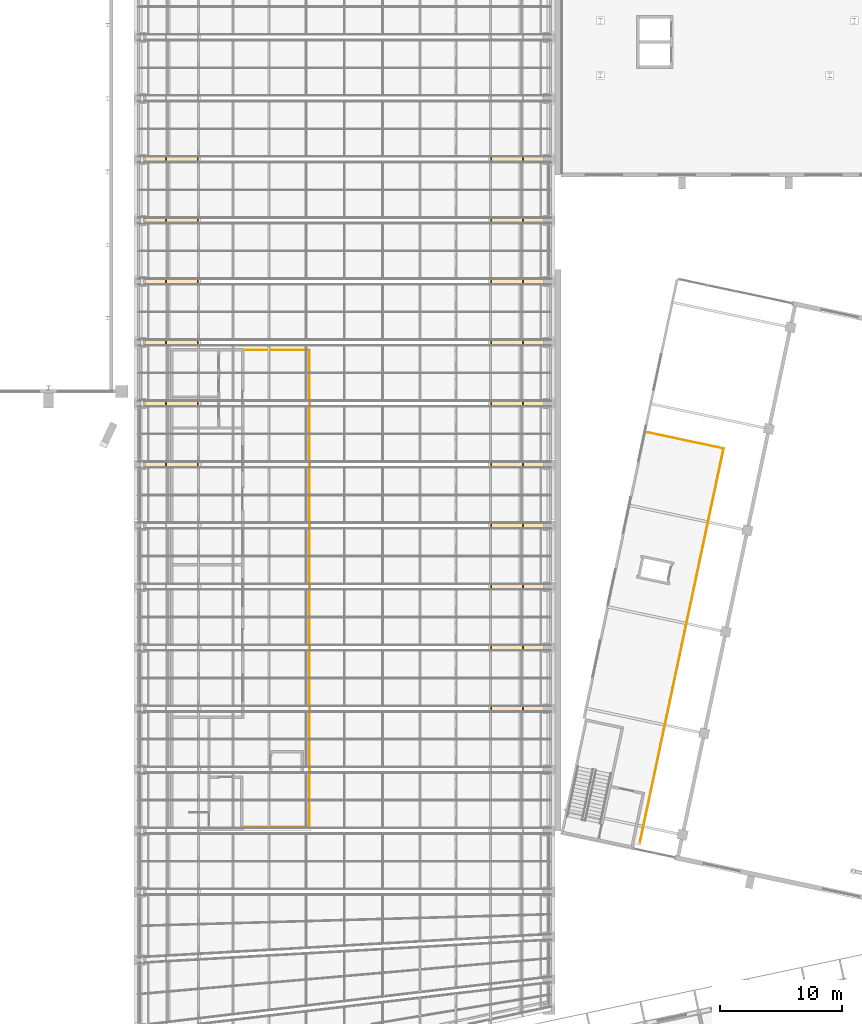
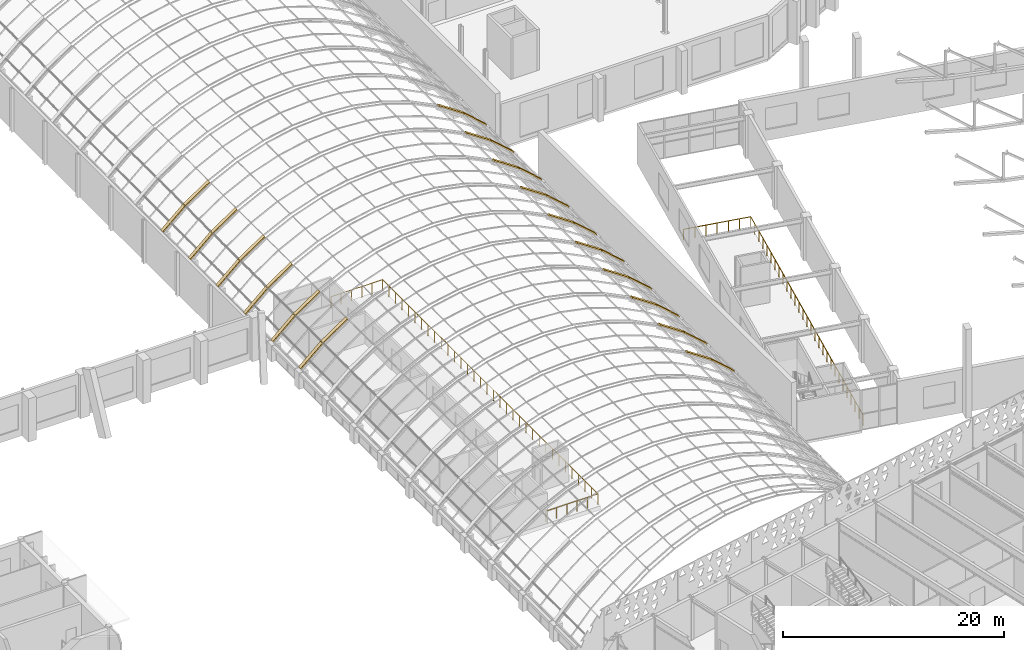
# One storey, part 180 of 182: 32 coverings, 2 railings.
"""IFC4 building model written with IfcOpenShell, lengths in metres."""

from ifc_helpers import new_model, si_unit, direction, frame, origin, origin_2d, place, context, subcontext, project, spatial, polyline, circle, outline, extrude, material, layer, layer_set, type_object, element, save


model = new_model("IFC4")

# Units and contexts
model_context = context("Model", 3, precision=1e-05, world=origin(), true_north=direction((0.0, 1.0)))
body_context = subcontext(model_context, "Body", "Model", "MODEL_VIEW")
ifc_project = project(units=[si_unit("LENGTHUNIT", "METRE"), si_unit("AREAUNIT", "SQUARE_METRE"), si_unit("VOLUMEUNIT", "CUBIC_METRE"), si_unit("PLANEANGLEUNIT", "RADIAN"), si_unit("MASSUNIT", "GRAM", prefix="KILO")], contexts=[model_context])

# Site, building, storey
site_placement = place(None, origin())
site = spatial("IfcSite", under=ifc_project, at=site_placement, CompositionType="ELEMENT")
building_placement = place(site_placement, origin())
building = spatial("IfcBuilding", under=site, at=building_placement, Name="Okhra Congress Centre", CompositionType="ELEMENT")
storey_placement = place(building_placement, frame((0.0, 0.0, 7.199951171875)))
storey = spatial("IfcBuildingStorey", under=building, at=storey_placement, Name="L01", CompositionType="ELEMENT", Elevation=7.199951171875)

# Coverings
ifc_material_1 = material(Name="Extruded aluminium capping, thermally broken", Category="aluminium")
ifc_layer = layer(ifc_material_1, 0.139892578125)
ifc_layer_set = layer_set([ifc_layer], Name="Aluminium rib capping 380")
covering_type = type_object("IfcCoveringType", Name="Aluminium rib capping 380", PredefinedType="CLADDING", material=ifc_layer_set)
covering_1_placement = place(storey_placement, frame((184.303466796875, 105.81005859375, 5.876220703125), z_axis=(0.559487786357, 0.0, 0.828838595215), x_axis=(0.828838595215, 0.0, -0.559487786357)))
element("IfcCovering", 1, at=covering_1_placement, inside=storey, type_object=covering_type, Name="Rib capping 7.11", PredefinedType="CLADDING", context=body_context, shape_type="SweptSolid", body=[
    extrude(outline(polyline([(0.0, 0.0), (3.08902450870042, 0.0), (3.08902450870042, 0.3798828125), (0.0, 0.3798828125), (0.0, 0.0)])), origin(), (0.0, 0.0, -1.0), 0.139892578125),
])
covering_2_placement = place(storey_placement, frame((186.9111328125, 105.81005859375, 4.111328125), z_axis=(0.663725875965, 0.0, 0.747975909756), x_axis=(0.747975909756, 0.0, -0.663725875965)))
element("IfcCovering", 2, at=covering_2_placement, inside=storey, type_object=covering_type, Name="Rib capping 7.12", PredefinedType="CLADDING", context=body_context, shape_type="SweptSolid", body=[
    extrude(outline(polyline([(0.0, 0.0), (3.0890658975292116, 0.0), (3.0890658975292116, 0.3798828125), (0.0, 0.3798828125), (0.0, 0.0)])), origin(), (0.0, 0.0, -1.0), 0.139892578125),
])
covering_3_placement = place(storey_placement, frame((184.303466796875, 110.81005859375, 5.876220703125), z_axis=(0.559487786357, 0.0, 0.828838595215), x_axis=(0.828838595215, 0.0, -0.559487786357)))
element("IfcCovering", 3, at=covering_3_placement, inside=storey, type_object=covering_type, Name="Rib capping 8.11", PredefinedType="CLADDING", context=body_context, shape_type="SweptSolid", body=[
    extrude(outline(polyline([(0.0, 0.0), (3.08902450870042, 0.0), (3.08902450870042, 0.3798828125), (0.0, 0.3798828125), (0.0, 0.0)])), origin(), (0.0, 0.0, -1.0), 0.139892578125),
])
covering_4_placement = place(storey_placement, frame((186.9111328125, 110.81005859375, 4.111328125), z_axis=(0.663725875965, 0.0, 0.747975909756), x_axis=(0.747975909756, 0.0, -0.663725875965)))
element("IfcCovering", 4, at=covering_4_placement, inside=storey, type_object=covering_type, Name="Rib capping 8.12", PredefinedType="CLADDING", context=body_context, shape_type="SweptSolid", body=[
    extrude(outline(polyline([(0.0, 0.0), (3.0890658975292116, 0.0), (3.0890658975292116, 0.3798828125), (0.0, 0.3798828125), (0.0, 0.0)])), origin(), (0.0, 0.0, -1.0), 0.139892578125),
])
covering_5_placement = place(storey_placement, frame((184.303466796875, 115.81005859375, 5.876220703125), z_axis=(0.559487786357, 0.0, 0.828838595215), x_axis=(0.828838595215, 0.0, -0.559487786357)))
element("IfcCovering", 5, at=covering_5_placement, inside=storey, type_object=covering_type, Name="Rib capping 9.11", PredefinedType="CLADDING", context=body_context, shape_type="SweptSolid", body=[
    extrude(outline(polyline([(0.0, 0.0), (3.08902450870042, 0.0), (3.08902450870042, 0.3798828125), (0.0, 0.3798828125), (0.0, 0.0)])), origin(), (0.0, 0.0, -1.0), 0.139892578125),
])
covering_6_placement = place(storey_placement, frame((186.9111328125, 115.81005859375, 4.111328125), z_axis=(0.663725875965, 0.0, 0.747975909756), x_axis=(0.747975909756, 0.0, -0.663725875965)))
element("IfcCovering", 6, at=covering_6_placement, inside=storey, type_object=covering_type, Name="Rib capping 9.12", PredefinedType="CLADDING", context=body_context, shape_type="SweptSolid", body=[
    extrude(outline(polyline([(0.0, 0.0), (3.0890658975292116, 0.0), (3.0890658975292116, 0.3798828125), (0.0, 0.3798828125), (0.0, 0.0)])), origin(), (0.0, 0.0, -1.0), 0.139892578125),
])
covering_7_placement = place(storey_placement, frame((184.303466796875, 120.81005859375, 5.876220703125), z_axis=(0.559487786357, 0.0, 0.828838595215), x_axis=(0.828838595215, 0.0, -0.559487786357)))
element("IfcCovering", 7, at=covering_7_placement, inside=storey, type_object=covering_type, Name="Rib capping 10.11", PredefinedType="CLADDING", context=body_context, shape_type="SweptSolid", body=[
    extrude(outline(polyline([(0.0, 0.0), (3.08902450870042, 0.0), (3.08902450870042, 0.3798828125), (0.0, 0.3798828125), (0.0, 0.0)])), origin(), (0.0, 0.0, -1.0), 0.139892578125),
])
for number, where, z_axis, x_axis, name in (
    (8, (186.9111328125, 120.81005859375, 4.111328125), (0.663725875965, 0.0, 0.747975909756), (0.747975909756, 0.0, -0.663725875965), "Rib capping 10.12"),
    (9, (155.2783203125, 125.81005859375, 2.06103515625), (-0.663725875965, 0.0, 0.747975909756), (0.747975909756, 0.0, 0.663725875965), "Rib capping 11.1"),
):
    element("IfcCovering", number, at=place(storey_placement, frame(where, z_axis=z_axis, x_axis=x_axis)), inside=storey, type_object=covering_type, Name=name, PredefinedType="CLADDING", context=body_context, shape_type="SweptSolid", body=[
        extrude(outline(polyline([(0.0, 0.0), (3.0890658975292116, 0.0), (3.0890658975292116, 0.3798828125), (0.0, 0.3798828125), (0.0, 0.0)])), origin(), (0.0, 0.0, -1.0), 0.139892578125),
    ])
for number, where, z_axis, x_axis, name in (
    (10, (157.63623046875, 125.81005859375, 4.14794921875), (-0.559487786357, 0.0, 0.828838595215), (0.828838595215, 0.0, 0.559487786357), "Rib capping 11.2"),
    (11, (184.303466796875, 125.81005859375, 5.876220703125), (0.559487786357, 0.0, 0.828838595215), (0.828838595215, 0.0, -0.559487786357), "Rib capping 11.11"),
):
    element("IfcCovering", number, at=place(storey_placement, frame(where, z_axis=z_axis, x_axis=x_axis)), inside=storey, type_object=covering_type, Name=name, PredefinedType="CLADDING", context=body_context, shape_type="SweptSolid", body=[
        extrude(outline(polyline([(0.0, 0.0), (3.08902450870042, 0.0), (3.08902450870042, 0.3798828125), (0.0, 0.3798828125), (0.0, 0.0)])), origin(), (0.0, 0.0, -1.0), 0.139892578125),
    ])
for number, where, z_axis, x_axis, name in (
    (12, (186.9111328125, 125.81005859375, 4.111328125), (0.663725875965, 0.0, 0.747975909756), (0.747975909756, 0.0, -0.663725875965), "Rib capping 11.12"),
    (13, (155.2783203125, 130.81005859375, 2.06103515625), (-0.663725875965, 0.0, 0.747975909756), (0.747975909756, 0.0, 0.663725875965), "Rib capping 12.1"),
):
    element("IfcCovering", number, at=place(storey_placement, frame(where, z_axis=z_axis, x_axis=x_axis)), inside=storey, type_object=covering_type, Name=name, PredefinedType="CLADDING", context=body_context, shape_type="SweptSolid", body=[
        extrude(outline(polyline([(0.0, 0.0), (3.0890658975292116, 0.0), (3.0890658975292116, 0.3798828125), (0.0, 0.3798828125), (0.0, 0.0)])), origin(), (0.0, 0.0, -1.0), 0.139892578125),
    ])
for number, where, z_axis, x_axis, name in (
    (14, (157.63623046875, 130.81005859375, 4.14794921875), (-0.559487786357, 0.0, 0.828838595215), (0.828838595215, 0.0, 0.559487786357), "Rib capping 12.2"),
    (15, (184.303466796875, 130.81005859375, 5.876220703125), (0.559487786357, 0.0, 0.828838595215), (0.828838595215, 0.0, -0.559487786357), "Rib capping 12.11"),
):
    element("IfcCovering", number, at=place(storey_placement, frame(where, z_axis=z_axis, x_axis=x_axis)), inside=storey, type_object=covering_type, Name=name, PredefinedType="CLADDING", context=body_context, shape_type="SweptSolid", body=[
        extrude(outline(polyline([(0.0, 0.0), (3.08902450870042, 0.0), (3.08902450870042, 0.3798828125), (0.0, 0.3798828125), (0.0, 0.0)])), origin(), (0.0, 0.0, -1.0), 0.139892578125),
    ])
for number, where, z_axis, x_axis, name in (
    (16, (186.9111328125, 130.81005859375, 4.111328125), (0.663725875965, 0.0, 0.747975909756), (0.747975909756, 0.0, -0.663725875965), "Rib capping 12.12"),
    (17, (155.2783203125, 135.81005859375, 2.06103515625), (-0.663725875965, 0.0, 0.747975909756), (0.747975909756, 0.0, 0.663725875965), "Rib capping 13.1"),
):
    element("IfcCovering", number, at=place(storey_placement, frame(where, z_axis=z_axis, x_axis=x_axis)), inside=storey, type_object=covering_type, Name=name, PredefinedType="CLADDING", context=body_context, shape_type="SweptSolid", body=[
        extrude(outline(polyline([(0.0, 0.0), (3.0890658975292116, 0.0), (3.0890658975292116, 0.3798828125), (0.0, 0.3798828125), (0.0, 0.0)])), origin(), (0.0, 0.0, -1.0), 0.139892578125),
    ])
for number, where, z_axis, x_axis, name in (
    (18, (157.63623046875, 135.81005859375, 4.14794921875), (-0.559487786357, 0.0, 0.828838595215), (0.828838595215, 0.0, 0.559487786357), "Rib capping 13.2"),
    (19, (184.303466796875, 135.81005859375, 5.876220703125), (0.559487786357, 0.0, 0.828838595215), (0.828838595215, 0.0, -0.559487786357), "Rib capping 13.11"),
):
    element("IfcCovering", number, at=place(storey_placement, frame(where, z_axis=z_axis, x_axis=x_axis)), inside=storey, type_object=covering_type, Name=name, PredefinedType="CLADDING", context=body_context, shape_type="SweptSolid", body=[
        extrude(outline(polyline([(0.0, 0.0), (3.08902450870042, 0.0), (3.08902450870042, 0.3798828125), (0.0, 0.3798828125), (0.0, 0.0)])), origin(), (0.0, 0.0, -1.0), 0.139892578125),
    ])
for number, where, z_axis, x_axis, name in (
    (20, (186.9111328125, 135.81005859375, 4.111328125), (0.663725875965, 0.0, 0.747975909756), (0.747975909756, 0.0, -0.663725875965), "Rib capping 13.12"),
    (21, (155.2783203125, 140.81005859375, 2.06103515625), (-0.663725875965, 0.0, 0.747975909756), (0.747975909756, 0.0, 0.663725875965), "Rib capping 14.1"),
):
    element("IfcCovering", number, at=place(storey_placement, frame(where, z_axis=z_axis, x_axis=x_axis)), inside=storey, type_object=covering_type, Name=name, PredefinedType="CLADDING", context=body_context, shape_type="SweptSolid", body=[
        extrude(outline(polyline([(0.0, 0.0), (3.0890658975292116, 0.0), (3.0890658975292116, 0.3798828125), (0.0, 0.3798828125), (0.0, 0.0)])), origin(), (0.0, 0.0, -1.0), 0.139892578125),
    ])
for number, where, z_axis, x_axis, name in (
    (22, (157.63623046875, 140.81005859375, 4.14794921875), (-0.559487786357, 0.0, 0.828838595215), (0.828838595215, 0.0, 0.559487786357), "Rib capping 14.2"),
    (23, (184.303466796875, 140.81005859375, 5.876220703125), (0.559487786357, 0.0, 0.828838595215), (0.828838595215, 0.0, -0.559487786357), "Rib capping 14.11"),
):
    element("IfcCovering", number, at=place(storey_placement, frame(where, z_axis=z_axis, x_axis=x_axis)), inside=storey, type_object=covering_type, Name=name, PredefinedType="CLADDING", context=body_context, shape_type="SweptSolid", body=[
        extrude(outline(polyline([(0.0, 0.0), (3.08902450870042, 0.0), (3.08902450870042, 0.3798828125), (0.0, 0.3798828125), (0.0, 0.0)])), origin(), (0.0, 0.0, -1.0), 0.139892578125),
    ])
for number, where, z_axis, x_axis, name in (
    (24, (186.9111328125, 140.81005859375, 4.111328125), (0.663725875965, 0.0, 0.747975909756), (0.747975909756, 0.0, -0.663725875965), "Rib capping 14.12"),
    (25, (155.2783203125, 145.81005859375, 2.06103515625), (-0.663725875965, 0.0, 0.747975909756), (0.747975909756, 0.0, 0.663725875965), "Rib capping 15.1"),
):
    element("IfcCovering", number, at=place(storey_placement, frame(where, z_axis=z_axis, x_axis=x_axis)), inside=storey, type_object=covering_type, Name=name, PredefinedType="CLADDING", context=body_context, shape_type="SweptSolid", body=[
        extrude(outline(polyline([(0.0, 0.0), (3.0890658975292116, 0.0), (3.0890658975292116, 0.3798828125), (0.0, 0.3798828125), (0.0, 0.0)])), origin(), (0.0, 0.0, -1.0), 0.139892578125),
    ])
for number, where, z_axis, x_axis, name in (
    (26, (157.63623046875, 145.81005859375, 4.14794921875), (-0.559487786357, 0.0, 0.828838595215), (0.828838595215, 0.0, 0.559487786357), "Rib capping 15.2"),
    (27, (184.303466796875, 145.81005859375, 5.876220703125), (0.559487786357, 0.0, 0.828838595215), (0.828838595215, 0.0, -0.559487786357), "Rib capping 15.11"),
):
    element("IfcCovering", number, at=place(storey_placement, frame(where, z_axis=z_axis, x_axis=x_axis)), inside=storey, type_object=covering_type, Name=name, PredefinedType="CLADDING", context=body_context, shape_type="SweptSolid", body=[
        extrude(outline(polyline([(0.0, 0.0), (3.08902450870042, 0.0), (3.08902450870042, 0.3798828125), (0.0, 0.3798828125), (0.0, 0.0)])), origin(), (0.0, 0.0, -1.0), 0.139892578125),
    ])
for number, where, z_axis, x_axis, name in (
    (28, (186.9111328125, 145.81005859375, 4.111328125), (0.663725875965, 0.0, 0.747975909756), (0.747975909756, 0.0, -0.663725875965), "Rib capping 15.12"),
    (29, (155.2783203125, 150.81005859375, 2.06103515625), (-0.663725875965, 0.0, 0.747975909756), (0.747975909756, 0.0, 0.663725875965), "Rib capping 16.1"),
):
    element("IfcCovering", number, at=place(storey_placement, frame(where, z_axis=z_axis, x_axis=x_axis)), inside=storey, type_object=covering_type, Name=name, PredefinedType="CLADDING", context=body_context, shape_type="SweptSolid", body=[
        extrude(outline(polyline([(0.0, 0.0), (3.0890658975292116, 0.0), (3.0890658975292116, 0.3798828125), (0.0, 0.3798828125), (0.0, 0.0)])), origin(), (0.0, 0.0, -1.0), 0.139892578125),
    ])
for number, where, z_axis, x_axis, name in (
    (30, (157.63623046875, 150.81005859375, 4.14794921875), (-0.559487786357, 0.0, 0.828838595215), (0.828838595215, 0.0, 0.559487786357), "Rib capping 16.2"),
    (31, (184.303466796875, 150.81005859375, 5.876220703125), (0.559487786357, 0.0, 0.828838595215), (0.828838595215, 0.0, -0.559487786357), "Rib capping 16.11"),
):
    element("IfcCovering", number, at=place(storey_placement, frame(where, z_axis=z_axis, x_axis=x_axis)), inside=storey, type_object=covering_type, Name=name, PredefinedType="CLADDING", context=body_context, shape_type="SweptSolid", body=[
        extrude(outline(polyline([(0.0, 0.0), (3.08902450870042, 0.0), (3.08902450870042, 0.3798828125), (0.0, 0.3798828125), (0.0, 0.0)])), origin(), (0.0, 0.0, -1.0), 0.139892578125),
    ])
covering_8_placement = place(storey_placement, frame((186.9111328125, 150.81005859375, 4.111328125), z_axis=(0.663725875965, 0.0, 0.747975909756), x_axis=(0.747975909756, 0.0, -0.663725875965)))
element("IfcCovering", 32, at=covering_8_placement, inside=storey, type_object=covering_type, Name="Rib capping 16.12", PredefinedType="CLADDING", context=body_context, shape_type="SweptSolid", body=[
    extrude(outline(polyline([(0.0, 0.0), (3.0890658975292116, 0.0), (3.0890658975292116, 0.3798828125), (0.0, 0.3798828125), (0.0, 0.0)])), origin(), (0.0, 0.0, -1.0), 0.139892578125),
])

# Railings
ifc_material_2 = material(Name="Laminated toughened glass balustrade with a stainless handrail, fixed in a base channel", Category="glass")
railing_type = type_object("IfcRailingType", Name="Glass balustrade guard 1200", PredefinedType="GUARDRAIL", material=ifc_material_2)
railing_1_placement = place(storey_placement, frame((163.949951171875, 96.300048828125, 0.0)))
element("IfcRailing", 33, at=railing_1_placement, inside=storey, type_object=railing_type, Name="West gallery guard", PredefinedType="GUARDRAIL", context=body_context, shape_type="SweptSolid", body=[
    extrude(circle(Radius=0.02392578125, at=origin_2d()), frame((0.0, 0.0, 1.17578125), z_axis=(1.0, 0.0, 0.0), x_axis=(0.0, 1.0, 0.0)), (0.0, 0.0, 1.0), 5.449951171875),
    extrude(circle(Radius=0.02392578125, at=origin_2d()), frame((5.449951171875, 0.0, 1.17578125), z_axis=(0.0, 1.0, 0.0), x_axis=(-1.0, 0.0, 0.0)), (0.0, 0.0, 1.0), 39.099853515625),
    extrude(circle(Radius=0.02392578125, at=origin_2d()), frame((5.449951171875, 39.099853515625, 1.17578125), z_axis=(-1.0, 0.0, 0.0), x_axis=(0.0, -1.0, 0.0)), (0.0, 0.0, 1.0), 5.39990234375),
    extrude(circle(Radius=0.02099609375, at=origin_2d()), origin(), (0.0, 0.0, 1.0), 1.15185546875),
    extrude(circle(Radius=0.02099609375, at=origin_2d()), frame((1.090087890625, 0.0, 0.0)), (0.0, 0.0, 1.0), 1.15185546875),
    extrude(circle(Radius=0.02099609375, at=origin_2d()), frame((2.179931640625, 0.0, 0.0)), (0.0, 0.0, 1.0), 1.15185546875),
    extrude(circle(Radius=0.02099609375, at=origin_2d()), frame((3.27001953125, 0.0, 0.0)), (0.0, 0.0, 1.0), 1.15185546875),
    extrude(circle(Radius=0.02099609375, at=origin_2d()), frame((4.35986328125, 0.0, 0.0)), (0.0, 0.0, 1.0), 1.15185546875),
    extrude(circle(Radius=0.02099609375, at=origin_2d()), frame((5.449951171875, 0.0, 0.0)), (0.0, 0.0, 1.0), 1.15185546875),
    extrude(circle(Radius=0.02099609375, at=origin_2d()), frame((5.449951171875, 1.184814453125, 0.0)), (0.0, 0.0, 1.0), 1.15185546875),
    extrude(circle(Radius=0.02099609375, at=origin_2d()), frame((5.449951171875, 2.36962890625, 0.0)), (0.0, 0.0, 1.0), 1.15185546875),
    extrude(circle(Radius=0.02099609375, at=origin_2d()), frame((5.449951171875, 3.554443359375, 0.0)), (0.0, 0.0, 1.0), 1.15185546875),
    extrude(circle(Radius=0.02099609375, at=origin_2d()), frame((5.449951171875, 4.7392578125, 0.0)), (0.0, 0.0, 1.0), 1.15185546875),
    extrude(circle(Radius=0.02099609375, at=origin_2d()), frame((5.449951171875, 5.92431640625, 0.0)), (0.0, 0.0, 1.0), 1.15185546875),
    extrude(circle(Radius=0.02099609375, at=origin_2d()), frame((5.449951171875, 7.109130859375, 0.0)), (0.0, 0.0, 1.0), 1.15185546875),
    extrude(circle(Radius=0.02099609375, at=origin_2d()), frame((5.449951171875, 8.2939453125, 0.0)), (0.0, 0.0, 1.0), 1.15185546875),
    extrude(circle(Radius=0.02099609375, at=origin_2d()), frame((5.449951171875, 9.478759765625, 0.0)), (0.0, 0.0, 1.0), 1.15185546875),
    extrude(circle(Radius=0.02099609375, at=origin_2d()), frame((5.449951171875, 10.66357421875, 0.0)), (0.0, 0.0, 1.0), 1.15185546875),
    extrude(circle(Radius=0.02099609375, at=origin_2d()), frame((5.449951171875, 11.848388671875, 0.0)), (0.0, 0.0, 1.0), 1.15185546875),
    extrude(circle(Radius=0.02099609375, at=origin_2d()), frame((5.449951171875, 13.033203125, 0.0)), (0.0, 0.0, 1.0), 1.15185546875),
    extrude(circle(Radius=0.02099609375, at=origin_2d()), frame((5.449951171875, 14.218017578125, 0.0)), (0.0, 0.0, 1.0), 1.15185546875),
    extrude(circle(Radius=0.02099609375, at=origin_2d()), frame((5.449951171875, 15.403076171875, 0.0)), (0.0, 0.0, 1.0), 1.15185546875),
    extrude(circle(Radius=0.02099609375, at=origin_2d()), frame((5.449951171875, 16.587890625, 0.0)), (0.0, 0.0, 1.0), 1.15185546875),
    extrude(circle(Radius=0.02099609375, at=origin_2d()), frame((5.449951171875, 17.772705078125, 0.0)), (0.0, 0.0, 1.0), 1.15185546875),
    extrude(circle(Radius=0.02099609375, at=origin_2d()), frame((5.449951171875, 18.95751953125, 0.0)), (0.0, 0.0, 1.0), 1.15185546875),
    extrude(circle(Radius=0.02099609375, at=origin_2d()), frame((5.449951171875, 20.142333984375, 0.0)), (0.0, 0.0, 1.0), 1.15185546875),
    extrude(circle(Radius=0.02099609375, at=origin_2d()), frame((5.449951171875, 21.3271484375, 0.0)), (0.0, 0.0, 1.0), 1.15185546875),
    extrude(circle(Radius=0.02099609375, at=origin_2d()), frame((5.449951171875, 22.511962890625, 0.0)), (0.0, 0.0, 1.0), 1.15185546875),
    extrude(circle(Radius=0.02099609375, at=origin_2d()), frame((5.449951171875, 23.69677734375, 0.0)), (0.0, 0.0, 1.0), 1.15185546875),
    extrude(circle(Radius=0.02099609375, at=origin_2d()), frame((5.449951171875, 24.8818359375, 0.0)), (0.0, 0.0, 1.0), 1.15185546875),
    extrude(circle(Radius=0.02099609375, at=origin_2d()), frame((5.449951171875, 26.066650390625, 0.0)), (0.0, 0.0, 1.0), 1.15185546875),
    extrude(circle(Radius=0.02099609375, at=origin_2d()), frame((5.449951171875, 27.25146484375, 0.0)), (0.0, 0.0, 1.0), 1.15185546875),
    extrude(circle(Radius=0.02099609375, at=origin_2d()), frame((5.449951171875, 28.436279296875, 0.0)), (0.0, 0.0, 1.0), 1.15185546875),
    extrude(circle(Radius=0.02099609375, at=origin_2d()), frame((5.449951171875, 29.62109375, 0.0)), (0.0, 0.0, 1.0), 1.15185546875),
    extrude(circle(Radius=0.02099609375, at=origin_2d()), frame((5.449951171875, 30.805908203125, 0.0)), (0.0, 0.0, 1.0), 1.15185546875),
    extrude(circle(Radius=0.02099609375, at=origin_2d()), frame((5.449951171875, 31.99072265625, 0.0)), (0.0, 0.0, 1.0), 1.15185546875),
    extrude(circle(Radius=0.02099609375, at=origin_2d()), frame((5.449951171875, 33.175537109375, 0.0)), (0.0, 0.0, 1.0), 1.15185546875),
    extrude(circle(Radius=0.02099609375, at=origin_2d()), frame((5.449951171875, 34.360595703125, 0.0)), (0.0, 0.0, 1.0), 1.15185546875),
    extrude(circle(Radius=0.02099609375, at=origin_2d()), frame((5.449951171875, 35.54541015625, 0.0)), (0.0, 0.0, 1.0), 1.15185546875),
    extrude(circle(Radius=0.02099609375, at=origin_2d()), frame((5.449951171875, 36.730224609375, 0.0)), (0.0, 0.0, 1.0), 1.15185546875),
    extrude(circle(Radius=0.02099609375, at=origin_2d()), frame((5.449951171875, 37.9150390625, 0.0)), (0.0, 0.0, 1.0), 1.15185546875),
    extrude(circle(Radius=0.02099609375, at=origin_2d()), frame((5.449951171875, 39.099853515625, 0.0)), (0.0, 0.0, 1.0), 1.15185546875),
    extrude(circle(Radius=0.02099609375, at=origin_2d()), frame((4.369873046875, 39.099853515625, 0.0)), (0.0, 0.0, 1.0), 1.15185546875),
    extrude(circle(Radius=0.02099609375, at=origin_2d()), frame((3.2900390625, 39.099853515625, 0.0)), (0.0, 0.0, 1.0), 1.15185546875),
    extrude(circle(Radius=0.02099609375, at=origin_2d()), frame((2.2099609375, 39.099853515625, 0.0)), (0.0, 0.0, 1.0), 1.15185546875),
    extrude(circle(Radius=0.02099609375, at=origin_2d()), frame((1.130126953125, 39.099853515625, 0.0)), (0.0, 0.0, 1.0), 1.15185546875),
    extrude(circle(Radius=0.02099609375, at=origin_2d()), frame((0.050048828125, 39.099853515625, 0.0)), (0.0, 0.0, 1.0), 1.15185546875),
])
railing_2_placement = place(storey_placement, frame((196.441162109375, 95.039794921875, 0.0)))
element("IfcRailing", 34, at=railing_2_placement, inside=storey, type_object=railing_type, Name="Gallery guard", PredefinedType="GUARDRAIL", context=body_context, shape_type="SweptSolid", body=[
    extrude(circle(Radius=0.02392578125, at=origin_2d()), frame((0.0, 0.0, 1.17578125), z_axis=(0.207912021771, 0.978147530387, 0.0), x_axis=(-0.978147530387, 0.207912021771, 0.0)), (0.0, 0.0, 1.0), 33.0),
    extrude(circle(Radius=0.02392578125, at=origin_2d()), frame((6.861083984375, 32.27880859375, 1.17578125), z_axis=(-0.978142754647, 0.207934488557, 0.0), x_axis=(-0.207934488557, -0.978142754647, 0.0)), (0.0, 0.0, 1.0), 6.400146484375),
    extrude(circle(Radius=0.02099609375, at=origin_2d()), origin(), (0.0, 0.0, 1.0), 1.15185546875),
    extrude(circle(Radius=0.02099609375, at=origin_2d()), frame((0.2451171875, 1.15283203125, 0.0)), (0.0, 0.0, 1.0), 1.15185546875),
    extrude(circle(Radius=0.02099609375, at=origin_2d()), frame((0.489990234375, 2.3056640625, 0.0)), (0.0, 0.0, 1.0), 1.15185546875),
    extrude(circle(Radius=0.02099609375, at=origin_2d()), frame((0.735107421875, 3.45849609375, 0.0)), (0.0, 0.0, 1.0), 1.15185546875),
    extrude(circle(Radius=0.02099609375, at=origin_2d()), frame((0.980224609375, 4.611328125, 0.0)), (0.0, 0.0, 1.0), 1.15185546875),
    extrude(circle(Radius=0.02099609375, at=origin_2d()), frame((1.22509765625, 5.76416015625, 0.0)), (0.0, 0.0, 1.0), 1.15185546875),
    extrude(circle(Radius=0.02099609375, at=origin_2d()), frame((1.47021484375, 6.9169921875, 0.0)), (0.0, 0.0, 1.0), 1.15185546875),
    extrude(circle(Radius=0.02099609375, at=origin_2d()), frame((1.71533203125, 8.06982421875, 0.0)), (0.0, 0.0, 1.0), 1.15185546875),
    extrude(circle(Radius=0.02099609375, at=origin_2d()), frame((1.960205078125, 9.222412109375, 0.0)), (0.0, 0.0, 1.0), 1.15185546875),
    extrude(circle(Radius=0.02099609375, at=origin_2d()), frame((2.205322265625, 10.375244140625, 0.0)), (0.0, 0.0, 1.0), 1.15185546875),
    extrude(circle(Radius=0.02099609375, at=origin_2d()), frame((2.450439453125, 11.528076171875, 0.0)), (0.0, 0.0, 1.0), 1.15185546875),
    extrude(circle(Radius=0.02099609375, at=origin_2d()), frame((2.6953125, 12.680908203125, 0.0)), (0.0, 0.0, 1.0), 1.15185546875),
    extrude(circle(Radius=0.02099609375, at=origin_2d()), frame((2.9404296875, 13.833740234375, 0.0)), (0.0, 0.0, 1.0), 1.15185546875),
    extrude(circle(Radius=0.02099609375, at=origin_2d()), frame((3.185546875, 14.986572265625, 0.0)), (0.0, 0.0, 1.0), 1.15185546875),
    extrude(circle(Radius=0.02099609375, at=origin_2d()), frame((3.4306640625, 16.139404296875, 0.0)), (0.0, 0.0, 1.0), 1.15185546875),
    extrude(circle(Radius=0.02099609375, at=origin_2d()), frame((3.675537109375, 17.292236328125, 0.0)), (0.0, 0.0, 1.0), 1.15185546875),
    extrude(circle(Radius=0.02099609375, at=origin_2d()), frame((3.920654296875, 18.445068359375, 0.0)), (0.0, 0.0, 1.0), 1.15185546875),
    extrude(circle(Radius=0.02099609375, at=origin_2d()), frame((4.165771484375, 19.597900390625, 0.0)), (0.0, 0.0, 1.0), 1.15185546875),
    extrude(circle(Radius=0.02099609375, at=origin_2d()), frame((4.41064453125, 20.750732421875, 0.0)), (0.0, 0.0, 1.0), 1.15185546875),
    extrude(circle(Radius=0.02099609375, at=origin_2d()), frame((4.65576171875, 21.903564453125, 0.0)), (0.0, 0.0, 1.0), 1.15185546875),
    extrude(circle(Radius=0.02099609375, at=origin_2d()), frame((4.90087890625, 23.056396484375, 0.0)), (0.0, 0.0, 1.0), 1.15185546875),
    extrude(circle(Radius=0.02099609375, at=origin_2d()), frame((5.145751953125, 24.208984375, 0.0)), (0.0, 0.0, 1.0), 1.15185546875),
    extrude(circle(Radius=0.02099609375, at=origin_2d()), frame((5.390869140625, 25.36181640625, 0.0)), (0.0, 0.0, 1.0), 1.15185546875),
    extrude(circle(Radius=0.02099609375, at=origin_2d()), frame((5.635986328125, 26.5146484375, 0.0)), (0.0, 0.0, 1.0), 1.15185546875),
    extrude(circle(Radius=0.02099609375, at=origin_2d()), frame((5.880859375, 27.66748046875, 0.0)), (0.0, 0.0, 1.0), 1.15185546875),
    extrude(circle(Radius=0.02099609375, at=origin_2d()), frame((6.1259765625, 28.8203125, 0.0)), (0.0, 0.0, 1.0), 1.15185546875),
    extrude(circle(Radius=0.02099609375, at=origin_2d()), frame((6.37109375, 29.97314453125, 0.0)), (0.0, 0.0, 1.0), 1.15185546875),
    extrude(circle(Radius=0.02099609375, at=origin_2d()), frame((6.615966796875, 31.1259765625, 0.0)), (0.0, 0.0, 1.0), 1.15185546875),
    extrude(circle(Radius=0.02099609375, at=origin_2d()), frame((6.861083984375, 32.27880859375, 0.0)), (0.0, 0.0, 1.0), 1.15185546875),
    extrude(circle(Radius=0.02099609375, at=origin_2d()), frame((5.817626953125, 32.50048828125, 0.0)), (0.0, 0.0, 1.0), 1.15185546875),
    extrude(circle(Radius=0.02099609375, at=origin_2d()), frame((4.7744140625, 32.722412109375, 0.0)), (0.0, 0.0, 1.0), 1.15185546875),
    extrude(circle(Radius=0.02099609375, at=origin_2d()), frame((3.73095703125, 32.9443359375, 0.0)), (0.0, 0.0, 1.0), 1.15185546875),
    extrude(circle(Radius=0.02099609375, at=origin_2d()), frame((2.6875, 33.166015625, 0.0)), (0.0, 0.0, 1.0), 1.15185546875),
    extrude(circle(Radius=0.02099609375, at=origin_2d()), frame((1.644287109375, 33.3876953125, 0.0)), (0.0, 0.0, 1.0), 1.15185546875),
    extrude(circle(Radius=0.02099609375, at=origin_2d()), frame((0.600830078125, 33.609619140625, 0.0)), (0.0, 0.0, 1.0), 1.15185546875),
])

save(model, "model.ifc")
